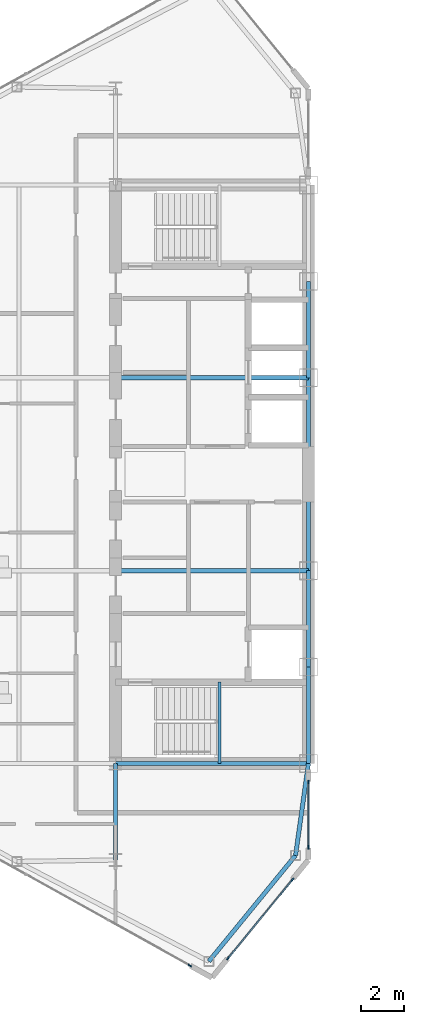
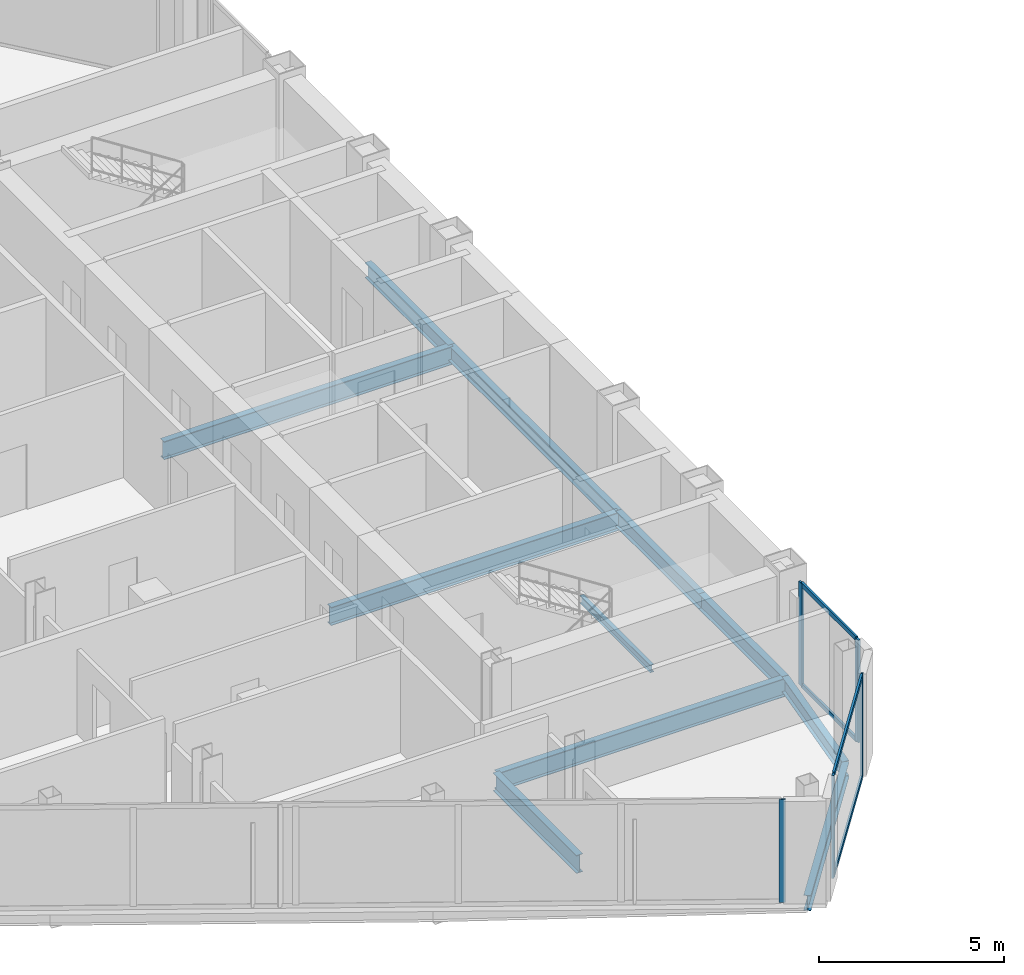
# One storey, part 7 of 26: 11 beams, 9 members, 3 elements without a shape of their own.
"""IFC4 building model written with IfcOpenShell, lengths in metres."""

from ifc_helpers import new_model, si_unit, direction, frame, origin, origin_2d, place, context, subcontext, project, spatial, rectangle, i_section, extrude, source, transform, mapped, material, layer, layer_set, material_profile, profile_set, type_object, type_shapes, element, aggregate, save


model = new_model("IFC4")

# Units and contexts
model_context = context("Model", 3, precision=1e-05, world=origin(), true_north=direction((0.0, 1.0)))
body_context = subcontext(model_context, "Body", "Model", "MODEL_VIEW")
ifc_project = project(units=[si_unit("LENGTHUNIT", "METRE"), si_unit("AREAUNIT", "SQUARE_METRE"), si_unit("VOLUMEUNIT", "CUBIC_METRE"), si_unit("PLANEANGLEUNIT", "RADIAN"), si_unit("MASSUNIT", "GRAM", prefix="KILO")], contexts=[model_context])

# Site, building, storey
site_placement = place(None, origin())
site = spatial("IfcSite", under=ifc_project, at=site_placement, CompositionType="ELEMENT")
building_placement = place(site_placement, origin())
building = spatial("IfcBuilding", under=site, at=building_placement, Name="Seokmaru Belvedere", CompositionType="ELEMENT")
storey_placement = place(building_placement, frame((0.0, 0.0, 177.89990234375)))
storey = spatial("IfcBuildingStorey", under=building, at=storey_placement, Name="L47", CompositionType="ELEMENT", Elevation=177.89990234375)

# Beams
ifc_material_1 = material(Name="Steel SM355 (355 MPa)", Category="steel")
ifc_material_profile_1 = material_profile(ifc_material_1, i_section(OverallWidth=0.199951171875, OverallDepth=0.5, WebThickness=0.010009765625, FlangeThickness=0.01611328125, at=origin_2d()), Name="H-500x200x10x16")
ifc_profile_set_1 = profile_set([ifc_material_profile_1], Name="Steel SM355 (355 MPa)")
beam_type_1 = type_object("IfcBeamType", Name="Perimeter Spandrel Beam H-500", PredefinedType="SPANDREL", material=ifc_profile_set_1)
shared_shape_1 = source(origin(), body_context, "Body", "SweptSolid", [
    extrude(i_section(OverallWidth=0.199951171875, OverallDepth=0.5, WebThickness=0.010009765625, FlangeThickness=0.01611328125, at=origin_2d()), origin(), (0.0, 0.0, 1.0), 4.5),
])
for number, where, z_axis, x_axis, name in (
    (1, (-27.5, -13.5, -0.469970703125), (0.0, 1.0, 0.0), (-1.0, 0.0, 0.0), "L47 W Portal Spine Spandrel 1"),
    (2, (-27.5, -9.0, -0.469970703125), (0.0, 1.0, 0.0), (-1.0, 0.0, 0.0), "L47 W Portal Spine Spandrel 2"),
    (3, (-27.5, 4.5, -0.469970703125), (0.0, 1.0, 0.0), (-1.0, 0.0, 0.0), "L47 W Portal Spine Spandrel 4"),
):
    element("IfcBeam", number, at=place(storey_placement, frame(where, z_axis=z_axis, x_axis=x_axis)), inside=storey, type_object=beam_type_1, Name=name, PredefinedType="SPANDREL", context=body_context, shape_type="MappedRepresentation", body=[
        mapped(shared_shape_1, transform((0.0, 0.0, 0.0), scale=1.0)),
    ])
shared_shape_2 = source(origin(), body_context, "Body", "SweptSolid", [
    extrude(i_section(OverallWidth=0.199951171875, OverallDepth=0.5, WebThickness=0.010009765625, FlangeThickness=0.01611328125, at=origin_2d()), origin(), (0.0, 0.0, 1.0), 9.0),
])
beam_1_placement = place(storey_placement, frame((-27.5, -4.5, -0.469970703125), z_axis=(0.0, 1.0, 0.0), x_axis=(-1.0, 0.0, 0.0)))
element("IfcBeam", 4, at=beam_1_placement, inside=storey, type_object=beam_type_1, Name="L47 W Portal Spine Spandrel 3", PredefinedType="SPANDREL", context=body_context, shape_type="MappedRepresentation", body=[
    mapped(shared_shape_2, transform((0.0, 0.0, 0.0), scale=1.0)),
])
ifc_material_profile_2 = material_profile(ifc_material_1, i_section(OverallWidth=0.199951171875, OverallDepth=0.60009765625, WebThickness=0.010986328125, FlangeThickness=0.01708984375, at=origin_2d()), Name="H-600x200x11x17")
ifc_profile_set_2 = profile_set([ifc_material_profile_2], Name="Steel SM355 (355 MPa)")
beam_type_2 = type_object("IfcBeamType", Name="Primary Floor Girder H-600", PredefinedType="BEAM", material=ifc_profile_set_2)
shared_shape_3 = source(origin(), body_context, "Body", "SweptSolid", [
    extrude(i_section(OverallWidth=0.199951171875, OverallDepth=0.60009765625, WebThickness=0.010986328125, FlangeThickness=0.01708984375, at=origin_2d()), origin(), (0.0, 0.0, 1.0), 9.0),
])
for number, where, z_axis, x_axis, name in (
    (5, (-36.5, -13.5, -0.52001953125), (1.0, 0.0, 0.0), (0.0, 1.0, 0.0), "L47 W Core Tie Girder 1"),
    (6, (-36.5, -4.5, -0.52001953125), (1.0, 0.0, 0.0), (0.0, 1.0, 0.0), "L47 W Core Tie Girder 2"),
    (7, (-36.5, 4.5, -0.52001953125), (1.0, 0.0, 0.0), (0.0, 1.0, 0.0), "L47 W Core Tie Girder 3"),
):
    element("IfcBeam", number, at=place(storey_placement, frame(where, z_axis=z_axis, x_axis=x_axis)), inside=storey, type_object=beam_type_2, Name=name, PredefinedType="BEAM", context=body_context, shape_type="MappedRepresentation", body=[
        mapped(shared_shape_3, transform((0.0, 0.0, 0.0), scale=1.0)),
    ])
shared_shape_4 = source(origin(), body_context, "Body", "SweptSolid", [
    extrude(i_section(OverallWidth=0.199951171875, OverallDepth=0.60009765625, WebThickness=0.010986328125, FlangeThickness=0.01708984375, at=origin_2d()), origin(), (0.0, 0.0, 1.0), 4.5),
])
type_shapes(beam_type_2, [shared_shape_3, shared_shape_4])
beam_2_placement = place(storey_placement, frame((-36.5, -18.0, -0.52001953125), z_axis=(0.0, 1.0, 0.0), x_axis=(-1.0, 0.0, 0.0)))
element("IfcBeam", 8, at=beam_2_placement, inside=storey, type_object=beam_type_2, Name="L47 W Core Shoulder Girder S", PredefinedType="BEAM", context=body_context, shape_type="MappedRepresentation", body=[
    mapped(shared_shape_4, transform((0.0, 0.0, 0.0), scale=1.0)),
])
shared_shape_5 = source(origin(), body_context, "Body", "SweptSolid", [
    extrude(i_section(OverallWidth=0.199951171875, OverallDepth=0.5, WebThickness=0.010009765625, FlangeThickness=0.01611328125, at=origin_2d()), origin(), (0.0, 0.0, 1.0), 6.390380859375),
])
beam_3_placement = place(storey_placement, frame((-32.146728515625, -22.731689453125, -0.469970703125), z_axis=(0.63324403161, 0.7739521926, 0.0), x_axis=(-0.7739521926, 0.63324403161, 0.0)))
element("IfcBeam", 9, at=beam_3_placement, inside=storey, type_object=beam_type_1, Name="L47 W Shoulder Chamfer Spandrel S", PredefinedType="SPANDREL", context=body_context, shape_type="MappedRepresentation", body=[
    mapped(shared_shape_5, transform((0.0, 0.0, 0.0), scale=1.0)),
])
shared_shape_6 = source(origin(), body_context, "Body", "SweptSolid", [
    extrude(i_section(OverallWidth=0.199951171875, OverallDepth=0.5, WebThickness=0.010009765625, FlangeThickness=0.01611328125, at=origin_2d()), origin(), (0.0, 0.0, 1.0), 4.32763671875),
])
type_shapes(beam_type_1, [shared_shape_1, shared_shape_2, shared_shape_5, shared_shape_6])
beam_4_placement = place(storey_placement, frame((-28.10009765625, -17.785888671875, -0.469970703125), z_axis=(0.138664443237, 0.990339422714, 0.0), x_axis=(-0.990339422714, 0.138664443237, 0.0)))
element("IfcBeam", 10, at=beam_4_placement, inside=storey, type_object=beam_type_1, Name="L47 W Shoulder Spine Spandrel S", PredefinedType="SPANDREL", context=body_context, shape_type="MappedRepresentation", body=[
    mapped(shared_shape_6, transform((0.0, 0.0, 0.0), scale=1.0)),
])

# Curtain wall, members
ifc_material_2 = material(Name="Bronze Triple Insulating Glass", Category="glass")
ifc_layer = layer(ifc_material_2, 0.179931640625)
ifc_layer_set = layer_set([ifc_layer], Name="Bronze Triple Insulating Glass")
curtain_wall_type = type_object("IfcCurtainWallType", Name="High-Rise Wind-Corner Curtain Wall System CW-5", PredefinedType="NOTDEFINED", material=ifc_layer_set)
curtain_wall_1_placement = place(storey_placement, origin())
curtain_wall_1 = element("IfcCurtainWall", 11, at=curtain_wall_1_placement, inside=storey, type_object=curtain_wall_type, Name="L47 Curtain Wall WSP_1", PredefinedType="NOTDEFINED")
ifc_material_3 = material(Name="Anodised Bronze Aluminium", Category="aluminium")
ifc_material_profile_3 = material_profile(ifc_material_3, rectangle(XDim=0.06494140625, YDim=0.14990234375, at=origin_2d()), Name="CW-T-65x150")
ifc_profile_set_3 = profile_set([ifc_material_profile_3], Name="Anodised Bronze Aluminium")
member_type_1 = type_object("IfcMemberType", Name="Bronze Unitised Transom 65x150", PredefinedType="USERDEFINED", material=ifc_profile_set_3)
shared_shape_7 = source(origin(), body_context, "Body", "SweptSolid", [
    extrude(rectangle(XDim=0.06494140625, YDim=0.14990234375, at=origin_2d()), origin(), (0.0, 0.0, 1.0), 2.969970703125),
])
member_1_placement = place(storey_placement, frame((-27.5, -17.364990234375, 0.03271484375), z_axis=(0.0, 1.0, 0.0), x_axis=(-1.0, 0.0, 0.0)))
member_1 = element("IfcMember", 12, at=member_1_placement, type_object=member_type_1, Name="CW:L47:WSP_1 Continuous Transom 1", ObjectType="TRANSOM", PredefinedType="USERDEFINED", context=body_context, shape_type="MappedRepresentation", body=[
    mapped(shared_shape_7, transform((0.0, 0.0, 0.0), scale=1.0)),
])
member_2_placement = place(storey_placement, frame((-27.5, -17.364990234375, 3.34765625), z_axis=(0.0, 1.0, 0.0), x_axis=(-1.0, 0.0, 0.0)))
member_2 = element("IfcMember", 13, at=member_2_placement, type_object=member_type_1, Name="CW:L47:WSP_1 Continuous Transom 2", ObjectType="TRANSOM", PredefinedType="USERDEFINED", context=body_context, shape_type="MappedRepresentation", body=[
    mapped(shared_shape_7, transform((0.0, 0.0, 0.0), scale=1.0)),
])

curtain_wall_2_placement = place(storey_placement, origin())
curtain_wall_2 = element("IfcCurtainWall", 14, at=curtain_wall_2_placement, inside=storey, type_object=curtain_wall_type, Name="L47 Curtain Wall WF6", PredefinedType="NOTDEFINED")
shared_shape_8 = source(origin(), body_context, "Body", "SweptSolid", [
    extrude(rectangle(XDim=0.06494140625, YDim=0.14990234375, at=origin_2d()), origin(), (0.0, 0.0, 1.0), 4.67626953125),
])
type_shapes(member_type_1, [shared_shape_7, shared_shape_8])
member_3_placement = place(storey_placement, frame((-31.230712890625, -22.5595703125, 0.03271484375), z_axis=(0.633277591216, 0.773924733074, 0.0), x_axis=(-0.773924733074, 0.633277591216, 0.0)))
member_3 = element("IfcMember", 15, at=member_3_placement, type_object=member_type_1, Name="CW:L47:WF6 Continuous Transom 1", ObjectType="TRANSOM", PredefinedType="USERDEFINED", context=body_context, shape_type="MappedRepresentation", body=[
    mapped(shared_shape_8, transform((0.0, 0.0, 0.0), scale=1.0)),
])
member_4_placement = place(storey_placement, frame((-31.230712890625, -22.5595703125, 3.34765625), z_axis=(0.633277591216, 0.773924733074, 0.0), x_axis=(-0.773924733074, 0.633277591216, 0.0)))
member_4 = element("IfcMember", 16, at=member_4_placement, type_object=member_type_1, Name="CW:L47:WF6 Continuous Transom 2", ObjectType="TRANSOM", PredefinedType="USERDEFINED", context=body_context, shape_type="MappedRepresentation", body=[
    mapped(shared_shape_8, transform((0.0, 0.0, 0.0), scale=1.0)),
])

# Member
ifc_material_profile_4 = material_profile(ifc_material_3, rectangle(XDim=0.06494140625, YDim=0.179931640625, at=origin_2d()), Name="CW-M-65x180")
ifc_profile_set_4 = profile_set([ifc_material_profile_4], Name="Anodised Bronze Aluminium")
member_type_2 = type_object("IfcMemberType", Name="Bronze Unitised Mullion 65x180", PredefinedType="MULLION", material=ifc_profile_set_4)
shared_shape_9 = source(origin(), body_context, "Body", "SweptSolid", [
    extrude(rectangle(XDim=0.06494140625, YDim=0.179931640625, at=origin_2d()), origin(), (0.0, 0.0, 1.0), 3.380126953125),
])
type_shapes(member_type_2, [shared_shape_9])
member_5_placement = place(storey_placement, frame((-27.5, -17.3974609375, 0.0), z_axis=(0.0, 0.0, 1.0), x_axis=(-1.0, 0.0, 0.0)))
member_5 = element("IfcMember", 17, at=member_5_placement, type_object=member_type_2, Name="CW:L47:WSP_1 Mullion 1", PredefinedType="MULLION", context=body_context, shape_type="MappedRepresentation", body=[
    mapped(shared_shape_9, transform((0.0, 0.0, 0.0), scale=1.0)),
])

member_6_placement = place(storey_placement, frame((-27.5, -14.362548828125, 0.0), z_axis=(0.0, 0.0, 1.0), x_axis=(-1.0, 0.0, 0.0)))
member_6 = element("IfcMember", 18, at=member_6_placement, type_object=member_type_2, Name="CW:L47:WSP_1 Mullion 2", PredefinedType="MULLION", context=body_context, shape_type="MappedRepresentation", body=[
    mapped(shared_shape_9, transform((0.0, 0.0, 0.0), scale=1.0)),
])

aggregate(curtain_wall_1, [member_5, member_6, member_1, member_2])

# Curtain wall, member
curtain_wall_3_placement = place(storey_placement, origin())
curtain_wall_3 = element("IfcCurtainWall", 19, at=curtain_wall_3_placement, inside=storey, type_object=curtain_wall_type, Name="L47 Curtain Wall WF5", PredefinedType="NOTDEFINED")
member_7_placement = place(storey_placement, frame((-33.033447265625, -22.92529296875, 0.0), z_axis=(0.0, 0.0, 1.0), x_axis=(0.486047125147, 0.873932601598, 0.0)))
member_7 = element("IfcMember", 20, at=member_7_placement, type_object=member_type_2, Name="CW:L47:WF5 Mullion 10", PredefinedType="MULLION", context=body_context, shape_type="MappedRepresentation", body=[
    mapped(shared_shape_9, transform((0.0, 0.0, 0.0), scale=1.0)),
])
aggregate(curtain_wall_3, [member_7])

# Member
member_8_placement = place(storey_placement, frame((-31.251220703125, -22.584716796875, 0.0), z_axis=(0.0, 0.0, 1.0), x_axis=(-0.773944112379, 0.633253907144, 0.0)))
member_8 = element("IfcMember", 21, at=member_8_placement, type_object=member_type_2, Name="CW:L47:WF6 Mullion 1", PredefinedType="MULLION", context=body_context, shape_type="MappedRepresentation", body=[
    mapped(shared_shape_9, transform((0.0, 0.0, 0.0), scale=1.0)),
])

member_9_placement = place(storey_placement, frame((-28.248779296875, -18.915283203125, 0.0), z_axis=(0.0, 0.0, 1.0), x_axis=(-0.773944112379, 0.633253907144, 0.0)))
member_9 = element("IfcMember", 22, at=member_9_placement, type_object=member_type_2, Name="CW:L47:WF6 Mullion 2", PredefinedType="MULLION", context=body_context, shape_type="MappedRepresentation", body=[
    mapped(shared_shape_9, transform((0.0, 0.0, 0.0), scale=1.0)),
])

aggregate(curtain_wall_2, [member_8, member_9, member_3, member_4])

# Beam
ifc_material_profile_5 = material_profile(ifc_material_1, i_section(OverallWidth=0.125, OverallDepth=0.25, WebThickness=0.006103515625, FlangeThickness=0.009033203125, at=origin_2d()), Name="H-250x125x6x9")
ifc_profile_set_5 = profile_set([ifc_material_profile_5], Name="Steel SM355 (355 MPa)")
beam_type_3 = type_object("IfcBeamType", Name="Stair Mid-Landing Support Beam H-250", PredefinedType="JOIST", material=ifc_profile_set_5)
shared_shape_10 = source(origin(), body_context, "Body", "SweptSolid", [
    extrude(i_section(OverallWidth=0.125, OverallDepth=0.25, WebThickness=0.006103515625, FlangeThickness=0.009033203125, at=origin_2d()), origin(), (0.0, 0.0, 1.0), 3.800048828125),
])
type_shapes(beam_type_3, [shared_shape_10])
beam_5_placement = place(storey_placement, frame((-31.64990234375, -13.5, 1.47509765625), z_axis=(0.0, 1.0, 0.0), x_axis=(-1.0, 0.0, 0.0)))
element("IfcBeam", 23, at=beam_5_placement, inside=storey, type_object=beam_type_3, Name="L47 Stair ST-W1 Mid-Landing Support Beam 1", PredefinedType="JOIST", context=body_context, shape_type="MappedRepresentation", body=[
    mapped(shared_shape_10, transform((0.0, 0.0, 0.0), scale=1.0)),
])

save(model, "model.ifc")
